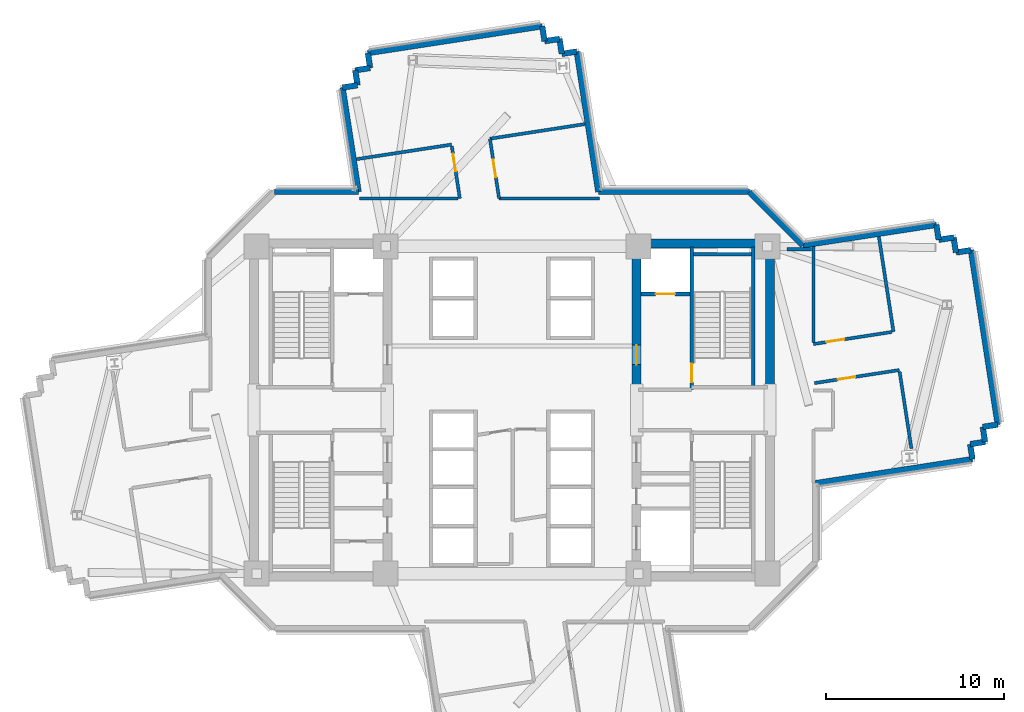
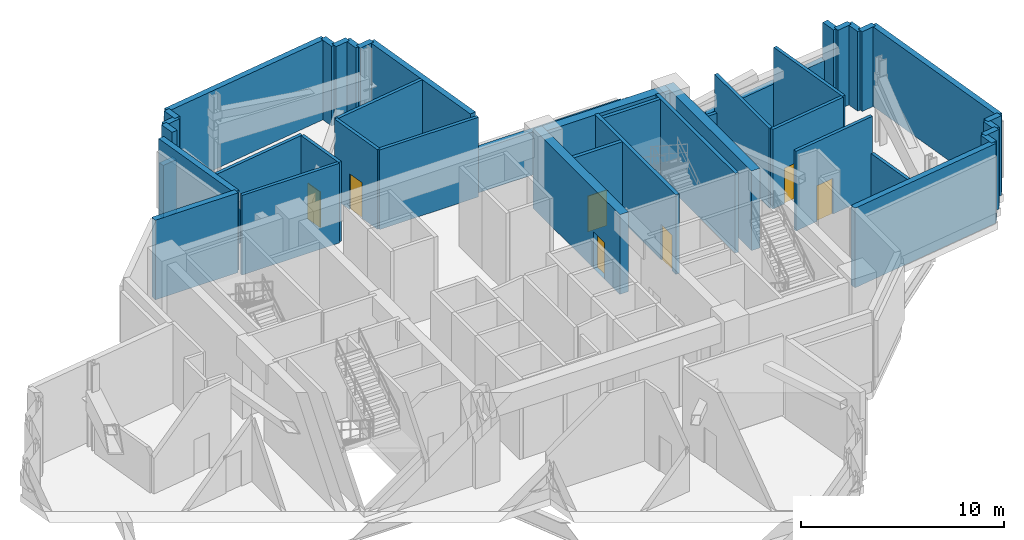
# One storey, part 5 of 10: 44 walls, 7 doors, 7 openings.
"""IFC4 building model written with IfcOpenShell, lengths in metres."""

from ifc_helpers import new_model, si_unit, direction, frame, frame_2d, origin, place, context, subcontext, project, spatial, rectangle, extrude, source, transform, mapped, material, layer, layer_set, type_object, element, fill, save


model = new_model("IFC4")

# Units and contexts
model_context = context("Model", 3, precision=1e-05, world=origin(), true_north=direction((0.0, 1.0)))
body_context = subcontext(model_context, "Body", "Model", "MODEL_VIEW")
ifc_project = project(units=[si_unit("LENGTHUNIT", "METRE"), si_unit("AREAUNIT", "SQUARE_METRE"), si_unit("VOLUMEUNIT", "CUBIC_METRE"), si_unit("PLANEANGLEUNIT", "RADIAN"), si_unit("MASSUNIT", "GRAM", prefix="KILO")], contexts=[model_context])

# Site, building, storey
site_placement = place(None, origin())
site = spatial("IfcSite", under=ifc_project, at=site_placement, CompositionType="ELEMENT")
building_placement = place(site_placement, origin())
building = spatial("IfcBuilding", under=site, at=building_placement, Name="Zahravan Cultural Tower", CompositionType="ELEMENT")
storey_placement = place(building_placement, frame((0.0, 0.0, 125.699951171875)))
storey = spatial("IfcBuildingStorey", under=building, at=storey_placement, Name="L28", CompositionType="ELEMENT", Elevation=125.699951171875)

# Wall, opening, door
ifc_material_1 = material(Name="Concrete C60/75", Category="concrete")
ifc_layer_1 = layer(ifc_material_1, 0.5)
ifc_layer_set_1 = layer_set([ifc_layer_1], Name="Concrete C60/75")
wall_type_1 = type_object("IfcWallType", Name="CW-SHEAR-500-C60", PredefinedType="SHEAR", material=ifc_layer_set_1)
wall_1_placement = place(storey_placement, frame((43.0, 28.050048828125, 0.0), z_axis=(0.0, 0.0, 1.0), x_axis=(0.0, 1.0, 0.0)))
wall_1 = element("IfcWall", 1, at=wall_1_placement, inside=storey, type_object=wall_type_1, Name="L28 Core Shear Wall CW-E-WN-L28", PredefinedType="SHEAR", context=body_context, shape_type="SweptSolid", body=[
    extrude(rectangle(XDim=8.550048828125, YDim=0.5, at=frame_2d((4.27490234375, 0.0))), origin(), (0.0, 0.0, 1.0), 4.800048828125),
])
opening_1_placement = place(wall_1_placement, frame((1.5, 0.0, 0.0)))
opening_1 = element("IfcOpeningElement", 2, at=opening_1_placement, cuts=wall_1, Name="Opening D-L28-06", PredefinedType="OPENING", context=body_context, shape_type="SweptSolid", body=[
    extrude(rectangle(XDim=1.10009765625, YDim=2.199951171875, at=frame_2d((0.550048828125, 1.10009765625))), frame((0.0, 0.260009765625, 0.0), z_axis=(0.0, -1.0, 0.0), x_axis=(1.0, 0.0, 0.0)), (0.0, 0.0, 1.0), 0.52001953125),
])
ifc_material_2 = material(Name="Steel ASTM A572 Grade 50", Category="steel")
door_type_1 = type_object("IfcDoorType", Name="DR-LOBBY-1100", OperationType="NOTDEFINED", PredefinedType="DOOR", material=ifc_material_2)
shared_shape_1 = source(origin(), body_context, "Body", "SweptSolid", [
    extrude(rectangle(XDim=1.10009765625, YDim=2.199951171875, at=frame_2d((0.550048828125, 1.10009765625))), frame((0.0, 0.02490234375, 0.0), z_axis=(0.0, -1.0, 0.0), x_axis=(1.0, 0.0, 0.0)), (0.0, 0.0, 1.0), 0.050048828125),
])
door_1_placement = place(opening_1_placement, origin())
door_1 = element("IfcDoor", 3, at=door_1_placement, inside=storey, type_object=door_type_1, Name="L28 Door D-L28-06", OperationType="SINGLE_SWING_LEFT", OverallHeight=2.199951171875, OverallWidth=1.10009765625, PredefinedType="DOOR", context=body_context, shape_type="MappedRepresentation", body=[
    mapped(shared_shape_1, transform((0.0, 0.0, 0.0), x_axis=(1.0, 0.0, 0.0), y_axis=(0.0, 1.0, 0.0), z_axis=(0.0, 0.0, 1.0), scale=1.0)),
])
fill(opening_1, door_1)

ifc_material_3 = material(Name="Gypsum plasterboard partition")
ifc_layer_2 = layer(ifc_material_3, 0.179931640625)
ifc_layer_set_2 = layer_set([ifc_layer_2], Name="Gypsum plasterboard partition")
wall_type_2 = type_object("IfcWallType", Name="W-COMP-180", PredefinedType="PARTITIONING", material=ifc_layer_set_2)
wall_2_placement = place(storey_placement, frame((32.618408203125, 41.8232421875, 0.0), z_axis=(0.0, 0.0, 1.0), x_axis=(0.151859367167, -0.988402110785, 0.0)))
wall_2 = element("IfcWall", 4, at=wall_2_placement, inside=storey, type_object=wall_type_2, Name="L28 Interior Wall 076", PredefinedType="PARTITIONING", context=body_context, shape_type="SweptSolid", body=[
    extrude(rectangle(XDim=2.9677734375, YDim=0.179931640625, at=frame_2d((1.48388671875, 0.0))), origin(), (0.0, 0.0, 1.0), 4.800048828125),
])
opening_2_placement = place(wall_2_placement, frame((0.4189453125, 0.0, 0.0)))
opening_2 = element("IfcOpeningElement", 5, at=opening_2_placement, cuts=wall_2, Name="Opening D-L28-13", PredefinedType="OPENING", context=body_context, shape_type="SweptSolid", body=[
    extrude(rectangle(XDim=1.0, YDim=2.14990234375, at=frame_2d((0.5, 1.074951171875))), frame((0.0, 0.099853515625, 0.0), z_axis=(0.0, -1.0, 0.0), x_axis=(1.0, 0.0, 0.0)), (0.0, 0.0, 1.0), 0.199951171875),
])
door_type_2 = type_object("IfcDoorType", Name="DR-COMP-1000", OperationType="NOTDEFINED", PredefinedType="DOOR", material=ifc_material_2)
shared_shape_2 = source(origin(), body_context, "Body", "SweptSolid", [
    extrude(rectangle(XDim=1.0, YDim=2.14990234375, at=frame_2d((0.5, 1.074951171875))), frame((0.0, 0.02490234375, 0.0), z_axis=(0.0, -1.0, 0.0), x_axis=(1.0, 0.0, 0.0)), (0.0, 0.0, 1.0), 0.050048828125),
])
door_2_placement = place(opening_2_placement, origin())
door_2 = element("IfcDoor", 6, at=door_2_placement, inside=storey, type_object=door_type_2, Name="L28 Door D-L28-13", OperationType="SINGLE_SWING_RIGHT", OverallHeight=2.14990234375, OverallWidth=1.0, PredefinedType="DOOR", context=body_context, shape_type="MappedRepresentation", body=[
    mapped(shared_shape_2, transform((0.0, 0.0, 0.0), x_axis=(1.0, 0.0, 0.0), y_axis=(0.0, 1.0, 0.0), z_axis=(0.0, 0.0, 1.0), scale=1.0)),
])
fill(opening_2, door_2)

wall_3_placement = place(storey_placement, frame((35.27490234375, 38.89013671875, 0.0), z_axis=(0.0, 0.0, 1.0), x_axis=(-0.151976189587, 0.988384154971, 0.0)))
wall_3 = element("IfcWall", 7, at=wall_3_placement, inside=storey, type_object=wall_type_2, Name="L28 Interior Wall 080", PredefinedType="PARTITIONING", context=body_context, shape_type="SweptSolid", body=[
    extrude(rectangle(XDim=3.397705078125, YDim=0.179931640625, at=frame_2d((1.69873046875, 0.0))), origin(), (0.0, 0.0, 1.0), 4.800048828125),
])
opening_3_placement = place(wall_3_placement, frame((1.198974609375, 0.0, 0.0)))
opening_3 = element("IfcOpeningElement", 8, at=opening_3_placement, cuts=wall_3, Name="Opening D-L28-19", PredefinedType="OPENING", context=body_context, shape_type="SweptSolid", body=[
    extrude(rectangle(XDim=1.0, YDim=2.14990234375, at=frame_2d((0.5, 1.074951171875))), frame((0.0, 0.099853515625, 0.0), z_axis=(0.0, -1.0, 0.0), x_axis=(1.0, 0.0, 0.0)), (0.0, 0.0, 1.0), 0.199951171875),
])
door_3_placement = place(opening_3_placement, origin())
door_3 = element("IfcDoor", 9, at=door_3_placement, inside=storey, type_object=door_type_2, Name="L28 Door D-L28-19", OperationType="SINGLE_SWING_RIGHT", OverallHeight=2.14990234375, OverallWidth=1.0, PredefinedType="DOOR", context=body_context, shape_type="MappedRepresentation", body=[
    mapped(shared_shape_2, transform((0.0, 0.0, 0.0), x_axis=(1.0, 0.0, 0.0), y_axis=(0.0, 1.0, 0.0), z_axis=(0.0, 0.0, 1.0), scale=1.0)),
])
fill(opening_3, door_3)

wall_4_placement = place(storey_placement, frame((57.3466796875, 31.384521484375, 0.0), z_axis=(0.0, 0.0, 1.0), x_axis=(-0.988387518399, -0.15195431377, 0.0)))
wall_4 = element("IfcWall", 10, at=wall_4_placement, inside=storey, type_object=wall_type_2, Name="L28 Interior Wall 085", PredefinedType="PARTITIONING", context=body_context, shape_type="SweptSolid", body=[
    extrude(rectangle(XDim=4.45849609375, YDim=0.179931640625, at=frame_2d((2.229248046875, 0.0))), origin(), (0.0, 0.0, 1.0), 4.800048828125),
])
opening_4_placement = place(wall_4_placement, frame((2.71142578125, 0.0, 0.0)))
opening_4 = element("IfcOpeningElement", 11, at=opening_4_placement, cuts=wall_4, Name="Opening D-L28-16", PredefinedType="OPENING", context=body_context, shape_type="SweptSolid", body=[
    extrude(rectangle(XDim=1.0, YDim=2.14990234375, at=frame_2d((0.5, 1.074951171875))), frame((0.0, 0.099853515625, 0.0), z_axis=(0.0, -1.0, 0.0), x_axis=(1.0, 0.0, 0.0)), (0.0, 0.0, 1.0), 0.199951171875),
])
door_4_placement = place(opening_4_placement, origin())
door_4 = element("IfcDoor", 12, at=door_4_placement, inside=storey, type_object=door_type_2, Name="L28 Door D-L28-16", OperationType="SINGLE_SWING_LEFT", OverallHeight=2.14990234375, OverallWidth=1.0, PredefinedType="DOOR", context=body_context, shape_type="MappedRepresentation", body=[
    mapped(shared_shape_2, transform((0.0, 0.0, 0.0), x_axis=(1.0, 0.0, 0.0), y_axis=(0.0, 1.0, 0.0), z_axis=(0.0, 0.0, 1.0), scale=1.0)),
])
fill(opening_4, door_4)

wall_5_placement = place(storey_placement, frame((52.9951171875, 28.510009765625, 0.0), z_axis=(0.0, 0.0, 1.0), x_axis=(0.988386877358, 0.151958483368, 0.0)))
wall_5 = element("IfcWall", 13, at=wall_5_placement, inside=storey, type_object=wall_type_2, Name="L28 Interior Wall 096", PredefinedType="PARTITIONING", context=body_context, shape_type="SweptSolid", body=[
    extrude(rectangle(XDim=4.832763671875, YDim=0.179931640625, at=frame_2d((2.41650390625, 0.0))), origin(), (0.0, 0.0, 1.0), 4.800048828125),
])
opening_5_placement = place(wall_5_placement, frame((1.333984375, 0.0, 0.0)))
opening_5 = element("IfcOpeningElement", 14, at=opening_5_placement, cuts=wall_5, Name="Opening D-L28-15", PredefinedType="OPENING", context=body_context, shape_type="SweptSolid", body=[
    extrude(rectangle(XDim=1.0, YDim=2.14990234375, at=frame_2d((0.5, 1.074951171875))), frame((0.0, 0.099853515625, 0.0), z_axis=(0.0, -1.0, 0.0), x_axis=(1.0, 0.0, 0.0)), (0.0, 0.0, 1.0), 0.199951171875),
])
door_5_placement = place(opening_5_placement, origin())
door_5 = element("IfcDoor", 15, at=door_5_placement, inside=storey, type_object=door_type_2, Name="L28 Door D-L28-15", OperationType="SINGLE_SWING_RIGHT", OverallHeight=2.14990234375, OverallWidth=1.0, PredefinedType="DOOR", context=body_context, shape_type="MappedRepresentation", body=[
    mapped(shared_shape_2, transform((0.0, 0.0, 0.0), x_axis=(1.0, 0.0, 0.0), y_axis=(0.0, 1.0, 0.0), z_axis=(0.0, 0.0, 1.0), scale=1.0)),
])
fill(opening_5, door_5)

ifc_material_4 = material(Name="Concrete C45/55", Category="concrete")
ifc_layer_3 = layer(ifc_material_4, 0.199951171875)
ifc_layer_set_3 = layer_set([ifc_layer_3], Name="Concrete C45/55")
wall_type_3 = type_object("IfcWallType", Name="W-SHAFT-200", PredefinedType="SOLIDWALL", material=ifc_layer_set_3)
wall_6_placement = place(storey_placement, frame((46.10009765625, 28.14990234375, 0.0), z_axis=(0.0, 0.0, 1.0), x_axis=(0.0, 1.0, 0.0)))
wall_6 = element("IfcWall", 16, at=wall_6_placement, inside=storey, type_object=wall_type_3, Name="L28 Interior Wall 008", PredefinedType="SOLIDWALL", context=body_context, shape_type="SweptSolid", body=[
    extrude(rectangle(XDim=8.0, YDim=0.199951171875, at=frame_2d((4.0, 0.0))), origin(), (0.0, 0.0, 1.0), 4.800048828125),
])
opening_6_placement = place(wall_6_placement, frame((0.39990234375, 0.0, 0.0)))
opening_6 = element("IfcOpeningElement", 17, at=opening_6_placement, cuts=wall_6, Name="Opening D-L28-02", PredefinedType="OPENING", context=body_context, shape_type="SweptSolid", body=[
    extrude(rectangle(XDim=1.050048828125, YDim=2.14990234375, at=frame_2d((0.52490234375, 1.074951171875))), frame((0.0, 0.10986328125, 0.0), z_axis=(0.0, -1.0, 0.0), x_axis=(1.0, 0.0, 0.0)), (0.0, 0.0, 1.0), 0.219970703125),
])
door_type_3 = type_object("IfcDoorType", Name="DR-STAIR-1050", OperationType="NOTDEFINED", PredefinedType="DOOR", material=ifc_material_2)
shared_shape_3 = source(origin(), body_context, "Body", "SweptSolid", [
    extrude(rectangle(XDim=1.050048828125, YDim=2.14990234375, at=frame_2d((0.52490234375, 1.074951171875))), frame((0.0, 0.02490234375, 0.0), z_axis=(0.0, -1.0, 0.0), x_axis=(1.0, 0.0, 0.0)), (0.0, 0.0, 1.0), 0.050048828125),
])
door_6_placement = place(opening_6_placement, origin())
door_6 = element("IfcDoor", 18, at=door_6_placement, inside=storey, type_object=door_type_3, Name="L28 Door D-L28-02", OperationType="SINGLE_SWING_LEFT", OverallHeight=2.14990234375, OverallWidth=1.050048828125, PredefinedType="DOOR", context=body_context, shape_type="MappedRepresentation", body=[
    mapped(shared_shape_3, transform((0.0, 0.0, 0.0), x_axis=(1.0, 0.0, 0.0), y_axis=(0.0, 1.0, 0.0), z_axis=(0.0, 0.0, 1.0), scale=1.0)),
])
fill(opening_6, door_6)

wall_7_placement = place(storey_placement, frame((43.25, 33.52001953125, 0.0), z_axis=(0.0, 0.0, 1.0), x_axis=(1.0, 0.0, 0.0)))
wall_7 = element("IfcWall", 19, at=wall_7_placement, inside=storey, type_object=wall_type_3, Name="L28 Interior Wall 022", PredefinedType="SOLIDWALL", context=body_context, shape_type="SweptSolid", body=[
    extrude(rectangle(XDim=2.75, YDim=0.199951171875, at=frame_2d((1.375, 0.0))), origin(), (0.0, 0.0, 1.0), 4.800048828125),
])
opening_7_placement = place(wall_7_placement, frame((0.820068359375, 0.0, 0.0)))
opening_7 = element("IfcOpeningElement", 20, at=opening_7_placement, cuts=wall_7, Name="Opening LD-L28-02", PredefinedType="OPENING", context=body_context, shape_type="SweptSolid", body=[
    extrude(rectangle(XDim=1.10009765625, YDim=2.14990234375, at=frame_2d((0.550048828125, 1.074951171875))), frame((0.0, 0.10986328125, 0.0), z_axis=(0.0, -1.0, 0.0), x_axis=(1.0, 0.0, 0.0)), (0.0, 0.0, 1.0), 0.219970703125),
])
door_type_4 = type_object("IfcDoorType", Name="DR-LIFT-1100", OperationType="DOUBLE_DOOR_SLIDING", PredefinedType="DOOR", material=ifc_material_2)
shared_shape_4 = source(origin(), body_context, "Body", "SweptSolid", [
    extrude(rectangle(XDim=1.10009765625, YDim=2.14990234375, at=frame_2d((0.550048828125, 1.074951171875))), frame((0.0, 0.02490234375, 0.0), z_axis=(0.0, -1.0, 0.0), x_axis=(1.0, 0.0, 0.0)), (0.0, 0.0, 1.0), 0.050048828125),
])
door_7_placement = place(opening_7_placement, origin())
door_7 = element("IfcDoor", 21, at=door_7_placement, inside=storey, type_object=door_type_4, Name="L28 Door LD-L28-02", OperationType="DOUBLE_DOOR_SLIDING", OverallHeight=2.14990234375, OverallWidth=1.10009765625, PredefinedType="DOOR", context=body_context, shape_type="MappedRepresentation", body=[
    mapped(shared_shape_4, transform((0.0, 0.0, 0.0), x_axis=(1.0, 0.0, 0.0), y_axis=(0.0, 1.0, 0.0), z_axis=(0.0, 0.0, 1.0), scale=1.0)),
])
fill(opening_7, door_7)

# Walls
shared_shape_5 = source(origin(), body_context, "Body", "SweptSolid", [
    extrude(rectangle(XDim=8.550048828125, YDim=0.5, at=frame_2d((4.27490234375, 0.0))), origin(), (0.0, 0.0, 1.0), 4.800048828125),
])
wall_8_placement = place(storey_placement, frame((50.5, 28.050048828125, 0.0), z_axis=(0.0, 0.0, 1.0), x_axis=(0.0, 1.0, 0.0)))
element("IfcWall", 22, at=wall_8_placement, inside=storey, type_object=wall_type_1, Name="L28 Core Shear Wall CW-E-EN-L28", PredefinedType="SHEAR", context=body_context, shape_type="MappedRepresentation", body=[
    mapped(shared_shape_5, transform((0.0, 0.0, 0.0), x_axis=(1.0, 0.0, 0.0), y_axis=(0.0, 1.0, 0.0), z_axis=(0.0, 0.0, 1.0), scale=1.0)),
])
shared_shape_6 = source(origin(), body_context, "Body", "SweptSolid", [
    extrude(rectangle(XDim=7.0, YDim=0.5, at=frame_2d((3.5, 0.0))), origin(), (0.0, 0.0, 1.0), 4.800048828125),
])
wall_9_placement = place(storey_placement, frame((43.25, 36.35009765625, 0.0), z_axis=(0.0, 0.0, 1.0), x_axis=(1.0, 0.0, 0.0)))
element("IfcWall", 23, at=wall_9_placement, inside=storey, type_object=wall_type_1, Name="L28 Core Shear Wall CW-E-N-L28", PredefinedType="SHEAR", context=body_context, shape_type="MappedRepresentation", body=[
    mapped(shared_shape_6, transform((0.0, 0.0, 0.0), x_axis=(1.0, 0.0, 0.0), y_axis=(0.0, 1.0, 0.0), z_axis=(0.0, 0.0, 1.0), scale=1.0)),
])
ifc_material_5 = material(Name="Precast concrete C40/50", Category="concrete")
ifc_layer_4 = layer(ifc_material_5, 0.320068359375)
ifc_layer_set_4 = layer_set([ifc_layer_4], Name="Precast concrete C40/50")
wall_type_4 = type_object("IfcWallType", Name="EW-TC-320", PredefinedType="SOLIDWALL", material=ifc_layer_set_4)
shared_shape_7 = source(origin(), body_context, "Body", "SweptSolid", [
    extrude(rectangle(XDim=7.593994140625, YDim=0.320068359375, at=frame_2d((3.796875, 0.0))), origin(), (0.0, 0.0, 1.0), 2.592041015625),
])
wall_10_placement = place(storey_placement, frame((52.35009765625, 36.251708984375, 0.0), z_axis=(0.0, 0.0, 1.0), x_axis=(0.988385445157, 0.151967798571, 0.0)))
element("IfcWall", 24, at=wall_10_placement, inside=storey, type_object=wall_type_4, Name="L28 Exterior Masonry Frame Wall 01", PredefinedType="SOLIDWALL", context=body_context, shape_type="MappedRepresentation", body=[
    mapped(shared_shape_7, transform((0.0, 0.0, 0.0), x_axis=(1.0, 0.0, 0.0), y_axis=(0.0, 1.0, 0.0), z_axis=(0.0, 0.0, 1.0), scale=1.0)),
])
shared_shape_8 = source(origin(), body_context, "Body", "SweptSolid", [
    extrude(rectangle(XDim=0.849853515625, YDim=0.320068359375, at=frame_2d((0.4248046875, 0.0))), origin(), (0.0, 0.0, 1.0), 4.800048828125),
])
for number, where, z_axis, x_axis, name in (
    (25, (59.85595703125, 37.40576171875, 0.0), (0.0, 0.0, 1.0), (0.1519492613, -0.98838829515, 0.0), "L28 Exterior Masonry Frame Wall 02"),
    (26, (59.985107421875, 36.565673828125, 0.0), (0.0, 0.0, 1.0), (0.98838829515, 0.1519492613, 0.0), "L28 Exterior Masonry Frame Wall 03"),
    (27, (63.3017578125, 26.178955078125, 0.0), (0.0, 0.0, 1.0), (-0.98838829515, -0.1519492613, 0.0), "L28 Exterior Masonry Frame Wall 07"),
    (28, (62.461669921875, 26.0498046875, 0.0), (0.0, 0.0, 1.0), (0.1519492613, -0.98838829515, 0.0), "L28 Exterior Masonry Frame Wall 08"),
    (29, (27.315673828125, 45.25244140625, 0.0), (0.0, 0.0, 1.0), (-0.1519492613, 0.98838829515, 0.0), "L28 Exterior Masonry Frame Wall 44"),
    (30, (27.1865234375, 46.092529296875, 0.0), (0.0, 0.0, 1.0), (0.98838829515, 0.1519492613, 0.0), "L28 Exterior Masonry Frame Wall 45"),
    (31, (28.026611328125, 46.2216796875, 0.0), (0.0, 0.0, 1.0), (-0.1519492613, 0.98838829515, 0.0), "L28 Exterior Masonry Frame Wall 46"),
    (32, (37.702392578125, 48.569091796875, 0.0), (0.0, 0.0, 1.0), (0.1519492613, -0.98838829515, 0.0), "L28 Exterior Masonry Frame Wall 48"),
    (33, (37.83154296875, 47.72900390625, 0.0), (0.0, 0.0, 1.0), (0.98838829515, 0.1519492613, 0.0), "L28 Exterior Masonry Frame Wall 49"),
    (34, (38.671630859375, 47.858154296875, 0.0), (0.0, 0.0, 1.0), (0.1519492613, -0.98838829515, 0.0), "L28 Exterior Masonry Frame Wall 50"),
    (35, (38.80078125, 47.01806640625, 0.0), (0.0, 0.0, 1.0), (0.98838829515, 0.1519492613, 0.0), "L28 Exterior Masonry Frame Wall 51"),
):
    element("IfcWall", number, at=place(storey_placement, frame(where, z_axis=z_axis, x_axis=x_axis)), inside=storey, type_object=wall_type_4, Name=name, PredefinedType="SOLIDWALL", context=body_context, shape_type="MappedRepresentation", body=[
        mapped(shared_shape_8, transform((0.0, 0.0, 0.0), x_axis=(1.0, 0.0, 0.0), y_axis=(0.0, 1.0, 0.0), z_axis=(0.0, 0.0, 1.0), scale=1.0)),
    ])
shared_shape_9 = source(origin(), body_context, "Body", "SweptSolid", [
    extrude(rectangle(XDim=0.85009765625, YDim=0.320068359375, at=frame_2d((0.425048828125, 0.0))), origin(), (0.0, 0.0, 1.0), 4.800048828125),
])
for number, where, z_axis, x_axis, name in (
    (36, (60.8251953125, 36.69482421875, 0.0), (0.0, 0.0, 1.0), (0.151906134495, -0.98839492426, 0.0), "L28 Exterior Masonry Frame Wall 04"),
    (37, (60.954345703125, 35.8544921875, 0.0), (0.0, 0.0, 1.0), (0.988345118302, 0.152229849666, 0.0), "L28 Exterior Masonry Frame Wall 05"),
    (38, (62.5908203125, 25.209716796875, 0.0), (0.0, 0.0, 1.0), (-0.98839492426, -0.151906134495, 0.0), "L28 Exterior Masonry Frame Wall 09"),
    (39, (61.75048828125, 25.08056640625, 0.0), (0.0, 0.0, 1.0), (0.152229849666, -0.988345118302, 0.0), "L28 Exterior Masonry Frame Wall 10"),
):
    element("IfcWall", number, at=place(storey_placement, frame(where, z_axis=z_axis, x_axis=x_axis)), inside=storey, type_object=wall_type_4, Name=name, PredefinedType="SOLIDWALL", context=body_context, shape_type="MappedRepresentation", body=[
        mapped(shared_shape_9, transform((0.0, 0.0, 0.0), x_axis=(1.0, 0.0, 0.0), y_axis=(0.0, 1.0, 0.0), z_axis=(0.0, 0.0, 1.0), scale=1.0)),
    ])
shared_shape_10 = source(origin(), body_context, "Body", "SweptSolid", [
    extrude(rectangle(XDim=9.920166015625, YDim=0.320068359375, at=frame_2d((4.9599609375, 0.0))), origin(), (0.0, 0.0, 1.0), 4.800048828125),
])
for number, where, z_axis, x_axis, name in (
    (40, (61.79443359375, 35.98388671875, 0.0), (0.0, 0.0, 1.0), (0.151946221933, -0.988388762401, 0.0), "L28 Exterior Masonry Frame Wall 06"),
    (41, (27.8974609375, 47.061767578125, 0.0), (0.0, 0.0, 1.0), (0.988388762401, 0.151946221933, 0.0), "L28 Exterior Masonry Frame Wall 47"),
):
    element("IfcWall", number, at=place(storey_placement, frame(where, z_axis=z_axis, x_axis=x_axis)), inside=storey, type_object=wall_type_4, Name=name, PredefinedType="SOLIDWALL", context=body_context, shape_type="MappedRepresentation", body=[
        mapped(shared_shape_10, transform((0.0, 0.0, 0.0), x_axis=(1.0, 0.0, 0.0), y_axis=(0.0, 1.0, 0.0), z_axis=(0.0, 0.0, 1.0), scale=1.0)),
    ])
shared_shape_11 = source(origin(), body_context, "Body", "SweptSolid", [
    extrude(rectangle(XDim=8.92333984375, YDim=0.320068359375, at=frame_2d((4.461669921875, 0.0))), origin(), (0.0, 0.0, 1.0), 4.800048828125),
])
wall_11_placement = place(storey_placement, frame((61.8798828125, 24.240478515625, 0.0), z_axis=(0.0, 0.0, 1.0), x_axis=(-0.988387507016, -0.151954387808, 0.0)))
element("IfcWall", 42, at=wall_11_placement, inside=storey, type_object=wall_type_4, Name="L28 Exterior Masonry Frame Wall 11", PredefinedType="SOLIDWALL", context=body_context, shape_type="MappedRepresentation", body=[
    mapped(shared_shape_11, transform((0.0, 0.0, 0.0), x_axis=(1.0, 0.0, 0.0), y_axis=(0.0, 1.0, 0.0), z_axis=(0.0, 0.0, 1.0), scale=1.0)),
])
shared_shape_12 = source(origin(), body_context, "Body", "SweptSolid", [
    extrude(rectangle(XDim=4.718994140625, YDim=0.320068359375, at=frame_2d((2.359375, 0.0))), origin(), (0.0, 0.0, 1.0), 4.800048828125),
])
wall_12_placement = place(storey_placement, frame((22.657958984375, 39.260009765625, 0.0), z_axis=(0.0, 0.0, 1.0), x_axis=(1.0, 0.0, 0.0)))
element("IfcWall", 43, at=wall_12_placement, inside=storey, type_object=wall_type_4, Name="L28 Exterior Masonry Frame Wall 41", PredefinedType="SOLIDWALL", context=body_context, shape_type="MappedRepresentation", body=[
    mapped(shared_shape_12, transform((0.0, 0.0, 0.0), x_axis=(1.0, 0.0, 0.0), y_axis=(0.0, 1.0, 0.0), z_axis=(0.0, 0.0, 1.0), scale=1.0)),
])
shared_shape_13 = source(origin(), body_context, "Body", "SweptSolid", [
    extrude(rectangle(XDim=5.93212890625, YDim=0.320068359375, at=frame_2d((2.966064453125, 0.0))), origin(), (0.0, 0.0, 1.0), 4.800048828125),
])
wall_13_placement = place(storey_placement, frame((27.376953125, 39.260009765625, 0.0), z_axis=(0.0, 0.0, 1.0), x_axis=(-0.151945849523, 0.988388819652, 0.0)))
element("IfcWall", 44, at=wall_13_placement, inside=storey, type_object=wall_type_4, Name="L28 Exterior Masonry Frame Wall 42", PredefinedType="SOLIDWALL", context=body_context, shape_type="MappedRepresentation", body=[
    mapped(shared_shape_13, transform((0.0, 0.0, 0.0), x_axis=(1.0, 0.0, 0.0), y_axis=(0.0, 1.0, 0.0), z_axis=(0.0, 0.0, 1.0), scale=1.0)),
])
shared_shape_14 = source(origin(), body_context, "Body", "SweptSolid", [
    extrude(rectangle(XDim=0.849853515625, YDim=0.320068359375, at=frame_2d((0.4248046875, 0.0))), origin(), (0.0, 0.0, 1.0), 3.192138671875),
])
wall_14_placement = place(storey_placement, frame((26.4755859375, 45.123291015625, 0.0), z_axis=(0.0, 0.0, 1.0), x_axis=(0.98838829515, 0.1519492613, 0.0)))
element("IfcWall", 45, at=wall_14_placement, inside=storey, type_object=wall_type_4, Name="L28 Exterior Masonry Frame Wall 43", PredefinedType="SOLIDWALL", context=body_context, shape_type="MappedRepresentation", body=[
    mapped(shared_shape_14, transform((0.0, 0.0, 0.0), x_axis=(1.0, 0.0, 0.0), y_axis=(0.0, 1.0, 0.0), z_axis=(0.0, 0.0, 1.0), scale=1.0)),
])
shared_shape_15 = source(origin(), body_context, "Body", "SweptSolid", [
    extrude(rectangle(XDim=7.97998046875, YDim=0.320068359375, at=frame_2d((3.989990234375, 0.0))), origin(), (0.0, 0.0, 1.0), 4.800048828125),
])
wall_15_placement = place(storey_placement, frame((39.640869140625, 47.147216796875, 0.0), z_axis=(0.0, 0.0, 1.0), x_axis=(0.15196292418, -0.988386194599, 0.0)))
element("IfcWall", 46, at=wall_15_placement, inside=storey, type_object=wall_type_4, Name="L28 Exterior Masonry Frame Wall 52", PredefinedType="SOLIDWALL", context=body_context, shape_type="MappedRepresentation", body=[
    mapped(shared_shape_15, transform((0.0, 0.0, 0.0), x_axis=(1.0, 0.0, 0.0), y_axis=(0.0, 1.0, 0.0), z_axis=(0.0, 0.0, 1.0), scale=1.0)),
])
shared_shape_16 = source(origin(), body_context, "Body", "SweptSolid", [
    extrude(rectangle(XDim=8.488525390625, YDim=0.320068359375, at=frame_2d((4.244140625, 0.0))), origin(), (0.0, 0.0, 1.0), 2.592041015625),
])
wall_16_placement = place(storey_placement, frame((40.853515625, 39.260009765625, 0.0), z_axis=(0.0, 0.0, 1.0), x_axis=(1.0, 0.0, 0.0)))
element("IfcWall", 47, at=wall_16_placement, inside=storey, type_object=wall_type_4, Name="L28 Exterior Masonry Frame Wall 53", PredefinedType="SOLIDWALL", context=body_context, shape_type="MappedRepresentation", body=[
    mapped(shared_shape_16, transform((0.0, 0.0, 0.0), x_axis=(1.0, 0.0, 0.0), y_axis=(0.0, 1.0, 0.0), z_axis=(0.0, 0.0, 1.0), scale=1.0)),
])
shared_shape_17 = source(origin(), body_context, "Body", "SweptSolid", [
    extrude(rectangle(XDim=4.254150390625, YDim=0.320068359375, at=frame_2d((2.126953125, 0.0))), origin(), (0.0, 0.0, 1.0), 2.592041015625),
])
wall_17_placement = place(storey_placement, frame((49.342041015625, 39.260009765625, 0.0), z_axis=(0.0, 0.0, 1.0), x_axis=(0.707078086582, -0.707135474626, 0.0)))
element("IfcWall", 48, at=wall_17_placement, inside=storey, type_object=wall_type_4, Name="L28 Exterior Masonry Frame Wall 54", PredefinedType="SOLIDWALL", context=body_context, shape_type="MappedRepresentation", body=[
    mapped(shared_shape_17, transform((0.0, 0.0, 0.0), x_axis=(1.0, 0.0, 0.0), y_axis=(0.0, 1.0, 0.0), z_axis=(0.0, 0.0, 1.0), scale=1.0)),
])
shared_shape_18 = source(origin(), body_context, "Body", "SweptSolid", [
    extrude(rectangle(XDim=7.869873046875, YDim=0.199951171875, at=frame_2d((3.93505859375, 0.0))), origin(), (0.0, 0.0, 1.0), 4.800048828125),
])
wall_18_placement = place(storey_placement, frame((49.550048828125, 28.280029296875, 0.0), z_axis=(0.0, 0.0, 1.0), x_axis=(0.0, 1.0, 0.0)))
element("IfcWall", 49, at=wall_18_placement, inside=storey, type_object=wall_type_3, Name="L28 Interior Wall 004", PredefinedType="SOLIDWALL", context=body_context, shape_type="MappedRepresentation", body=[
    mapped(shared_shape_18, transform((0.0, 0.0, 0.0), x_axis=(1.0, 0.0, 0.0), y_axis=(0.0, 1.0, 0.0), z_axis=(0.0, 0.0, 1.0), scale=1.0)),
])
shared_shape_19 = source(origin(), body_context, "Body", "SweptSolid", [
    extrude(rectangle(XDim=3.25, YDim=0.199951171875, at=frame_2d((1.625, 0.0))), origin(), (0.0, 0.0, 1.0), 4.800048828125),
])
wall_19_placement = place(storey_placement, frame((46.199951171875, 35.75, 0.0), z_axis=(0.0, 0.0, 1.0), x_axis=(1.0, 0.0, 0.0)))
element("IfcWall", 50, at=wall_19_placement, inside=storey, type_object=wall_type_3, Name="L28 Interior Wall 018", PredefinedType="SOLIDWALL", context=body_context, shape_type="MappedRepresentation", body=[
    mapped(shared_shape_19, transform((0.0, 0.0, 0.0), x_axis=(1.0, 0.0, 0.0), y_axis=(0.0, 1.0, 0.0), z_axis=(0.0, 0.0, 1.0), scale=1.0)),
])
shared_shape_20 = source(origin(), body_context, "Body", "SweptSolid", [
    extrude(rectangle(XDim=5.405029296875, YDim=0.179931640625, at=frame_2d((2.70263671875, 0.0))), origin(), (0.0, 0.0, 1.0), 4.800048828125),
])
for number, where, z_axis, x_axis, name in (
    (51, (27.26171875, 41.095947265625, 0.0), (0.0, 0.0, 1.0), (0.988388401608, 0.151948568824, 0.0), "L28 Interior Wall 075"),
    (52, (34.758544921875, 42.248291015625, 0.0), (0.0, 0.0, 1.0), (0.988381616997, 0.151992694507, 0.0), "L28 Interior Wall 078"),
    (53, (56.619384765625, 36.7412109375, 0.0), (0.0, 0.0, 1.0), (0.151904442233, -0.988395184342, 0.0), "L28 Interior Wall 084"),
):
    element("IfcWall", number, at=place(storey_placement, frame(where, z_axis=z_axis, x_axis=x_axis)), inside=storey, type_object=wall_type_2, Name=name, PredefinedType="PARTITIONING", context=body_context, shape_type="MappedRepresentation", body=[
        mapped(shared_shape_20, transform((0.0, 0.0, 0.0), x_axis=(1.0, 0.0, 0.0), y_axis=(0.0, 1.0, 0.0), z_axis=(0.0, 0.0, 1.0), scale=1.0)),
    ])
shared_shape_21 = source(origin(), body_context, "Body", "SweptSolid", [
    extrude(rectangle(XDim=5.539306640625, YDim=0.179931640625, at=frame_2d((2.76953125, 0.0))), origin(), (0.0, 0.0, 1.0), 4.800048828125),
])
wall_20_placement = place(storey_placement, frame((32.97314453125, 38.889892578125, 0.0), z_axis=(0.0, 0.0, 1.0), x_axis=(-1.0, 0.0, 0.0)))
element("IfcWall", 54, at=wall_20_placement, inside=storey, type_object=wall_type_2, Name="L28 Interior Wall 077", PredefinedType="PARTITIONING", context=body_context, shape_type="MappedRepresentation", body=[
    mapped(shared_shape_21, transform((0.0, 0.0, 0.0), x_axis=(1.0, 0.0, 0.0), y_axis=(0.0, 1.0, 0.0), z_axis=(0.0, 0.0, 1.0), scale=1.0)),
])
shared_shape_22 = source(origin(), body_context, "Body", "SweptSolid", [
    extrude(rectangle(XDim=5.635498046875, YDim=0.179931640625, at=frame_2d((2.81787109375, 0.0))), origin(), (0.0, 0.0, 1.0), 4.800048828125),
])
wall_21_placement = place(storey_placement, frame((40.910400390625, 38.889892578125, 0.0), z_axis=(0.0, 0.0, 1.0), x_axis=(-1.0, 0.0, 0.0)))
element("IfcWall", 55, at=wall_21_placement, inside=storey, type_object=wall_type_2, Name="L28 Interior Wall 079", PredefinedType="PARTITIONING", context=body_context, shape_type="MappedRepresentation", body=[
    mapped(shared_shape_22, transform((0.0, 0.0, 0.0), x_axis=(1.0, 0.0, 0.0), y_axis=(0.0, 1.0, 0.0), z_axis=(0.0, 0.0, 1.0), scale=1.0)),
])
shared_shape_23 = source(origin(), body_context, "Body", "SweptSolid", [
    extrude(rectangle(XDim=5.376953125, YDim=0.179931640625, at=frame_2d((2.6884765625, 0.0))), origin(), (0.0, 0.0, 1.0), 4.800048828125),
])
wall_22_placement = place(storey_placement, frame((52.93994140625, 30.80322265625, 0.0), z_axis=(0.0, 0.0, 1.0), x_axis=(-0.000363240078, 0.999999934028, 0.0)))
element("IfcWall", 56, at=wall_22_placement, inside=storey, type_object=wall_type_2, Name="L28 Interior Wall 086", PredefinedType="PARTITIONING", context=body_context, shape_type="MappedRepresentation", body=[
    mapped(shared_shape_23, transform((0.0, 0.0, 0.0), x_axis=(1.0, 0.0, 0.0), y_axis=(0.0, 1.0, 0.0), z_axis=(0.0, 0.0, 1.0), scale=1.0)),
])
shared_shape_24 = source(origin(), body_context, "Body", "SweptSolid", [
    extrude(rectangle(XDim=1.382080078125, YDim=0.179931640625, at=frame_2d((0.69091796875, 0.0))), origin(), (0.0, 0.0, 1.0), 2.592041015625),
])
wall_23_placement = place(storey_placement, frame((52.843017578125, 36.03955078125, 0.0), z_axis=(0.0, 0.0, 1.0), x_axis=(-0.999999937592, 0.000353294449, 0.0)))
element("IfcWall", 57, at=wall_23_placement, inside=storey, type_object=wall_type_2, Name="L28 Interior Wall 087", PredefinedType="PARTITIONING", context=body_context, shape_type="MappedRepresentation", body=[
    mapped(shared_shape_24, transform((0.0, 0.0, 0.0), x_axis=(1.0, 0.0, 0.0), y_axis=(0.0, 1.0, 0.0), z_axis=(0.0, 0.0, 1.0), scale=1.0)),
])
shared_shape_25 = source(origin(), body_context, "Body", "SweptSolid", [
    extrude(rectangle(XDim=4.369384765625, YDim=0.179931640625, at=frame_2d((2.1845703125, 0.0))), origin(), (0.0, 0.0, 1.0), 2.592041015625),
])
wall_24_placement = place(storey_placement, frame((57.7861328125, 29.150390625, 0.0), z_axis=(0.0, 0.0, 1.0), x_axis=(0.151981606421, -0.988383322052, 0.0)))
element("IfcWall", 58, at=wall_24_placement, inside=storey, type_object=wall_type_2, Name="L28 Interior Wall 097", PredefinedType="PARTITIONING", context=body_context, shape_type="MappedRepresentation", body=[
    mapped(shared_shape_25, transform((0.0, 0.0, 0.0), x_axis=(1.0, 0.0, 0.0), y_axis=(0.0, 1.0, 0.0), z_axis=(0.0, 0.0, 1.0), scale=1.0)),
])

save(model, "model.ifc")
